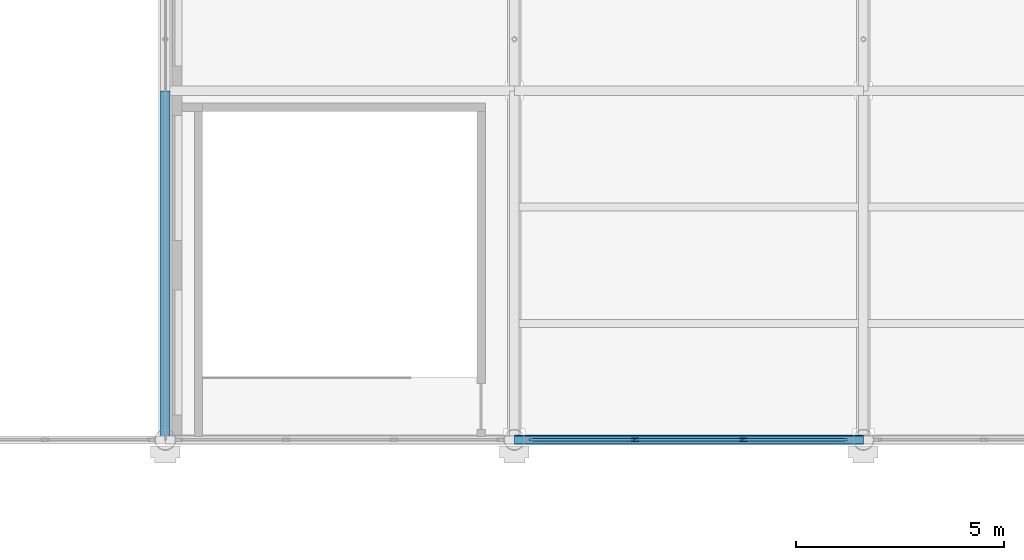
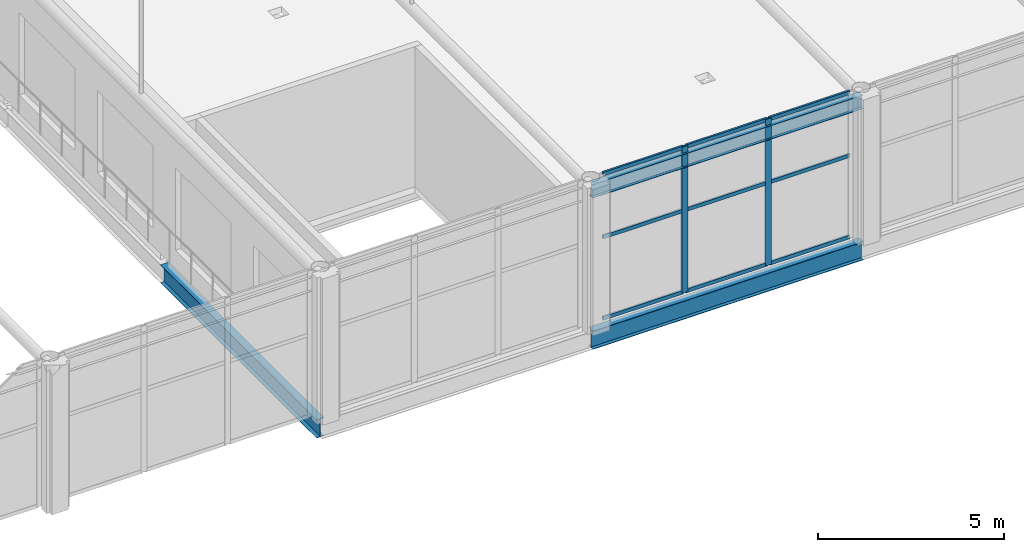
# One storey, part 25 of 167: 11 members, 3 beams, 1 element without a shape of its own.
"""IFC4 building model written with IfcOpenShell, lengths in metres."""

from ifc_helpers import new_model, si_unit, direction, frame, origin, origin_2d, place, context, subcontext, project, spatial, hollow_rectangle, i_section, extrude, material, material_profile, profile_set, type_object, element, aggregate, save


model = new_model("IFC4")

# Units and contexts
model_context = context("Model", 3, precision=1e-05, world=origin(), true_north=direction((0.0, 1.0)))
body_context = subcontext(model_context, "Body", "Model", "MODEL_VIEW")
ifc_project = project(units=[si_unit("LENGTHUNIT", "METRE"), si_unit("AREAUNIT", "SQUARE_METRE"), si_unit("VOLUMEUNIT", "CUBIC_METRE"), si_unit("PLANEANGLEUNIT", "RADIAN"), si_unit("MASSUNIT", "GRAM", prefix="KILO")], contexts=[model_context])

# Site, building, storey
site_placement = place(None, origin())
site = spatial("IfcSite", under=ifc_project, at=site_placement, CompositionType="ELEMENT")
building_placement = place(site_placement, origin())
building = spatial("IfcBuilding", under=site, at=building_placement, Name="Catenary Quay Ferry Terminal", CompositionType="ELEMENT")
storey_placement = place(building_placement, frame((0.0, 0.0, 6.0)))
storey = spatial("IfcBuildingStorey", under=building, at=storey_placement, Name="L01", CompositionType="ELEMENT", Elevation=6.0)

# Beams
ifc_material_1 = material(Name="Steel S355", Category="steel")
ifc_material_profile_1 = material_profile(ifc_material_1, i_section(OverallWidth=0.18994140625, OverallDepth=0.453369140625, WebThickness=0.008544921875, FlangeThickness=0.0126953125, at=origin_2d()), Name="UB 457x191x67")
ifc_profile_set_1 = profile_set([ifc_material_profile_1], Name="Steel S355")
beam_type_1 = type_object("IfcBeamType", Name="B1 UB 457x191x67", PredefinedType="BEAM", material=ifc_profile_set_1)
beam_placement = place(storey_placement, frame((67.199951171875, 67.199951171875, 4.373046875), z_axis=(1.0, 0.0, 0.0), x_axis=(0.0, 1.0, 0.0)))
element("IfcBeam", 1, at=beam_placement, inside=storey, type_object=beam_type_1, Name="Beam B1-006", PredefinedType="BEAM", context=body_context, shape_type="SweptSolid", body=[
    extrude(i_section(OverallWidth=0.18994140625, OverallDepth=0.453369140625, WebThickness=0.008544921875, FlangeThickness=0.0126953125, at=origin_2d()), origin(), (0.0, 0.0, 1.0), 8.400146484375),
])
ifc_material_2 = material(Name="Steel S355", Category="steel")
ifc_material_profile_2 = material_profile(ifc_material_2, i_section(OverallWidth=0.2275390625, OverallDepth=0.6025390625, WebThickness=0.010498046875, FlangeThickness=0.014892578125, at=origin_2d()), Name="UB 610x229x101")
ifc_profile_set_2 = profile_set([ifc_material_profile_2], Name="Steel S355")
beam_type_2 = type_object("IfcBeamType", Name="B3 UB 610x229x101", PredefinedType="BEAM", material=ifc_profile_set_2)
for number, where, z_axis, x_axis, name in (
    (2, (67.199951171875, 67.199951171875, -0.5009765625), (1.0, 0.0, 0.0), (0.0, 1.0, 0.0), "Beam B3-002"),
    (3, (58.800048828125, 67.199951171875, -0.5009765625), (0.0, 1.0, 0.0), (-1.0, 0.0, 0.0), "Beam B3-025"),
):
    element("IfcBeam", number, at=place(storey_placement, frame(where, z_axis=z_axis, x_axis=x_axis)), inside=storey, type_object=beam_type_2, Name=name, PredefinedType="BEAM", context=body_context, shape_type="SweptSolid", body=[
        extrude(i_section(OverallWidth=0.2275390625, OverallDepth=0.6025390625, WebThickness=0.010498046875, FlangeThickness=0.014892578125, at=origin_2d()), origin(), (0.0, 0.0, 1.0), 8.400146484375),
    ])

# Curtain wall, members
ifc_material_3 = material(Name="Aluminium and glass", Category="aluminium")
curtain_wall_type = type_object("IfcCurtainWallType", Name="CWH", PredefinedType="NOTDEFINED", material=ifc_material_3)
curtain_wall_placement = place(storey_placement, origin())
curtain_wall = element("IfcCurtainWall", 4, at=curtain_wall_placement, inside=storey, type_object=curtain_wall_type, Name="Hall curtain wall CW37", PredefinedType="NOTDEFINED")
ifc_material_4 = material(Name="Aluminium", Category="aluminium")
ifc_material_profile_3 = material_profile(ifc_material_4, hollow_rectangle(XDim=0.070068359375, YDim=0.179931640625, WallThickness=0.006103515625, at=origin_2d()), Name="MU3")
ifc_profile_set_3 = profile_set([ifc_material_profile_3], Name="Aluminium")
member_type_1 = type_object("IfcMemberType", Name="MU3", PredefinedType="MULLION", material=ifc_profile_set_3)
member_1_placement = place(storey_placement, frame((70.10009765625, 67.199951171875, 0.0), z_axis=(0.0, 0.0, 1.0), x_axis=(0.0, 1.0, 0.0)))
member_1 = element("IfcMember", 5, at=member_1_placement, type_object=member_type_1, Name="CW37 mullion 2", PredefinedType="MULLION", context=body_context, shape_type="SweptSolid", body=[
    extrude(hollow_rectangle(XDim=0.070068359375, YDim=0.179931640625, WallThickness=0.006103515625, at=origin_2d()), origin(), (0.0, 0.0, 1.0), 4.800048828125),
])
member_2_placement = place(storey_placement, frame((72.699951171875, 67.199951171875, 0.0), z_axis=(0.0, 0.0, 1.0), x_axis=(0.0, 1.0, 0.0)))
member_2 = element("IfcMember", 6, at=member_2_placement, type_object=member_type_1, Name="CW37 mullion 3", PredefinedType="MULLION", context=body_context, shape_type="SweptSolid", body=[
    extrude(hollow_rectangle(XDim=0.070068359375, YDim=0.179931640625, WallThickness=0.006103515625, at=origin_2d()), origin(), (0.0, 0.0, 1.0), 4.800048828125),
])
ifc_material_5 = material(Name="Aluminium", Category="aluminium")
ifc_material_profile_4 = material_profile(ifc_material_5, hollow_rectangle(XDim=0.06005859375, YDim=0.1201171875, WallThickness=0.0048828125, at=origin_2d()), Name="TR3")
ifc_profile_set_4 = profile_set([ifc_material_profile_4], Name="Aluminium")
member_type_2 = type_object("IfcMemberType", Name="TR3", PredefinedType="USERDEFINED", material=ifc_profile_set_4)
member_3_placement = place(storey_placement, frame((67.570068359375, 67.199951171875, 0.030029296875), z_axis=(1.0, 0.0, 0.0), x_axis=(0.0, 1.0, 0.0)))
member_3 = element("IfcMember", 7, at=member_3_placement, type_object=member_type_2, Name="CW37 transom 1.1", ObjectType="TRANSOM", PredefinedType="USERDEFINED", context=body_context, shape_type="SweptSolid", body=[
    extrude(hollow_rectangle(XDim=0.06005859375, YDim=0.1201171875, WallThickness=0.0048828125, at=origin_2d()), origin(), (0.0, 0.0, 1.0), 2.494873046875),
])
member_4_placement = place(storey_placement, frame((67.570068359375, 67.199951171875, 2.699951171875), z_axis=(1.0, 0.0, 0.0), x_axis=(0.0, 1.0, 0.0)))
member_4 = element("IfcMember", 8, at=member_4_placement, type_object=member_type_2, Name="CW37 transom 1.2", ObjectType="TRANSOM", PredefinedType="USERDEFINED", context=body_context, shape_type="SweptSolid", body=[
    extrude(hollow_rectangle(XDim=0.06005859375, YDim=0.1201171875, WallThickness=0.0048828125, at=origin_2d()), origin(), (0.0, 0.0, 1.0), 2.494873046875),
])
member_5_placement = place(storey_placement, frame((67.570068359375, 67.199951171875, 4.77001953125), z_axis=(1.0, 0.0, 0.0), x_axis=(0.0, 1.0, 0.0)))
member_5 = element("IfcMember", 9, at=member_5_placement, type_object=member_type_2, Name="CW37 transom 1.3", ObjectType="TRANSOM", PredefinedType="USERDEFINED", context=body_context, shape_type="SweptSolid", body=[
    extrude(hollow_rectangle(XDim=0.06005859375, YDim=0.1201171875, WallThickness=0.0048828125, at=origin_2d()), origin(), (0.0, 0.0, 1.0), 2.494873046875),
])
member_6_placement = place(storey_placement, frame((70.135009765625, 67.199951171875, 0.030029296875), z_axis=(1.0, 0.0, 0.0), x_axis=(0.0, 1.0, 0.0)))
member_6 = element("IfcMember", 10, at=member_6_placement, type_object=member_type_2, Name="CW37 transom 2.1", ObjectType="TRANSOM", PredefinedType="USERDEFINED", context=body_context, shape_type="SweptSolid", body=[
    extrude(hollow_rectangle(XDim=0.06005859375, YDim=0.1201171875, WallThickness=0.0048828125, at=origin_2d()), origin(), (0.0, 0.0, 1.0), 2.530029296875),
])
member_7_placement = place(storey_placement, frame((70.135009765625, 67.199951171875, 2.699951171875), z_axis=(1.0, 0.0, 0.0), x_axis=(0.0, 1.0, 0.0)))
member_7 = element("IfcMember", 11, at=member_7_placement, type_object=member_type_2, Name="CW37 transom 2.2", ObjectType="TRANSOM", PredefinedType="USERDEFINED", context=body_context, shape_type="SweptSolid", body=[
    extrude(hollow_rectangle(XDim=0.06005859375, YDim=0.1201171875, WallThickness=0.0048828125, at=origin_2d()), origin(), (0.0, 0.0, 1.0), 2.530029296875),
])
member_8_placement = place(storey_placement, frame((70.135009765625, 67.199951171875, 4.77001953125), z_axis=(1.0, 0.0, 0.0), x_axis=(0.0, 1.0, 0.0)))
member_8 = element("IfcMember", 12, at=member_8_placement, type_object=member_type_2, Name="CW37 transom 2.3", ObjectType="TRANSOM", PredefinedType="USERDEFINED", context=body_context, shape_type="SweptSolid", body=[
    extrude(hollow_rectangle(XDim=0.06005859375, YDim=0.1201171875, WallThickness=0.0048828125, at=origin_2d()), origin(), (0.0, 0.0, 1.0), 2.530029296875),
])
member_9_placement = place(storey_placement, frame((72.735107421875, 67.199951171875, 0.030029296875), z_axis=(1.0, 0.0, 0.0), x_axis=(0.0, 1.0, 0.0)))
member_9 = element("IfcMember", 13, at=member_9_placement, type_object=member_type_2, Name="CW37 transom 3.1", ObjectType="TRANSOM", PredefinedType="USERDEFINED", context=body_context, shape_type="SweptSolid", body=[
    extrude(hollow_rectangle(XDim=0.06005859375, YDim=0.1201171875, WallThickness=0.0048828125, at=origin_2d()), origin(), (0.0, 0.0, 1.0), 2.494873046875),
])
member_10_placement = place(storey_placement, frame((72.735107421875, 67.199951171875, 2.699951171875), z_axis=(1.0, 0.0, 0.0), x_axis=(0.0, 1.0, 0.0)))
member_10 = element("IfcMember", 14, at=member_10_placement, type_object=member_type_2, Name="CW37 transom 3.2", ObjectType="TRANSOM", PredefinedType="USERDEFINED", context=body_context, shape_type="SweptSolid", body=[
    extrude(hollow_rectangle(XDim=0.06005859375, YDim=0.1201171875, WallThickness=0.0048828125, at=origin_2d()), origin(), (0.0, 0.0, 1.0), 2.494873046875),
])
member_11_placement = place(storey_placement, frame((72.735107421875, 67.199951171875, 4.77001953125), z_axis=(1.0, 0.0, 0.0), x_axis=(0.0, 1.0, 0.0)))
member_11 = element("IfcMember", 15, at=member_11_placement, type_object=member_type_2, Name="CW37 transom 3.3", ObjectType="TRANSOM", PredefinedType="USERDEFINED", context=body_context, shape_type="SweptSolid", body=[
    extrude(hollow_rectangle(XDim=0.06005859375, YDim=0.1201171875, WallThickness=0.0048828125, at=origin_2d()), origin(), (0.0, 0.0, 1.0), 2.494873046875),
])
aggregate(curtain_wall, [member_1, member_2, member_3, member_4, member_5, member_6, member_7, member_8, member_9, member_10, member_11])

save(model, "model.ifc")
